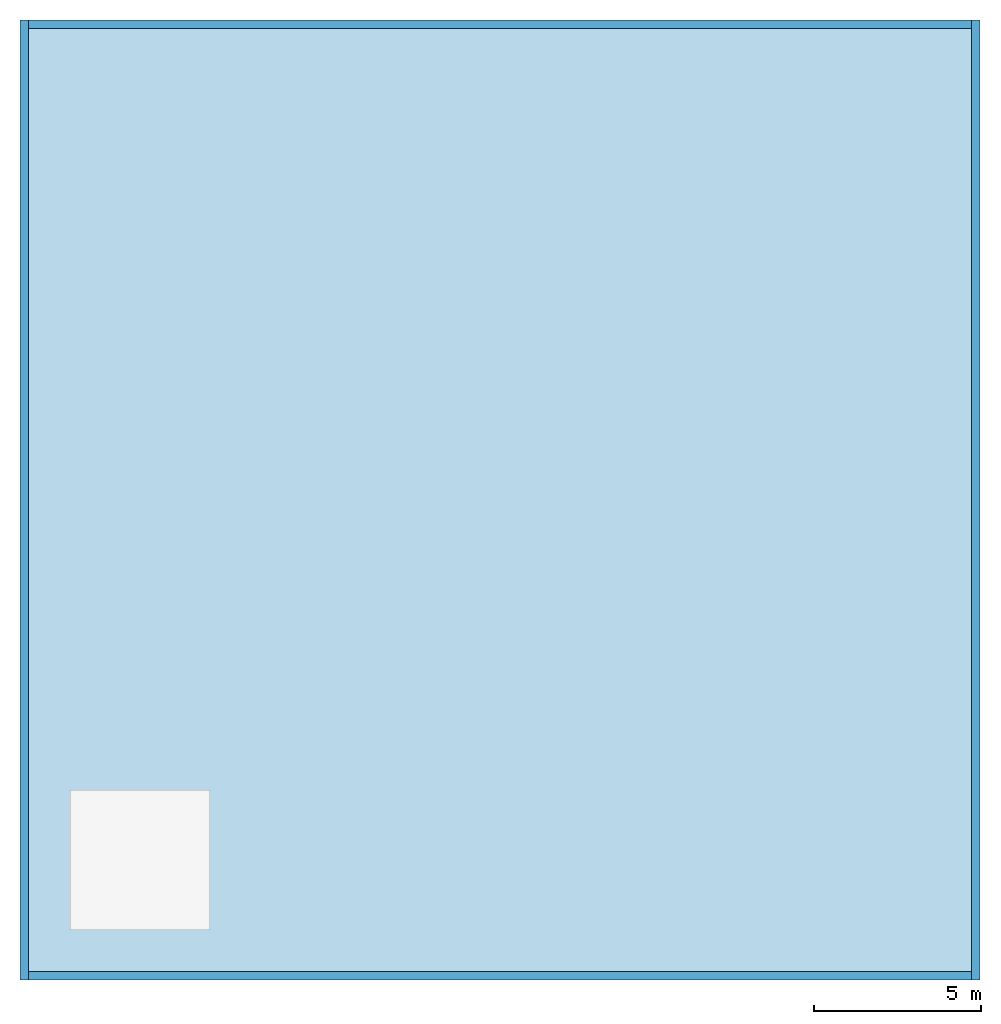
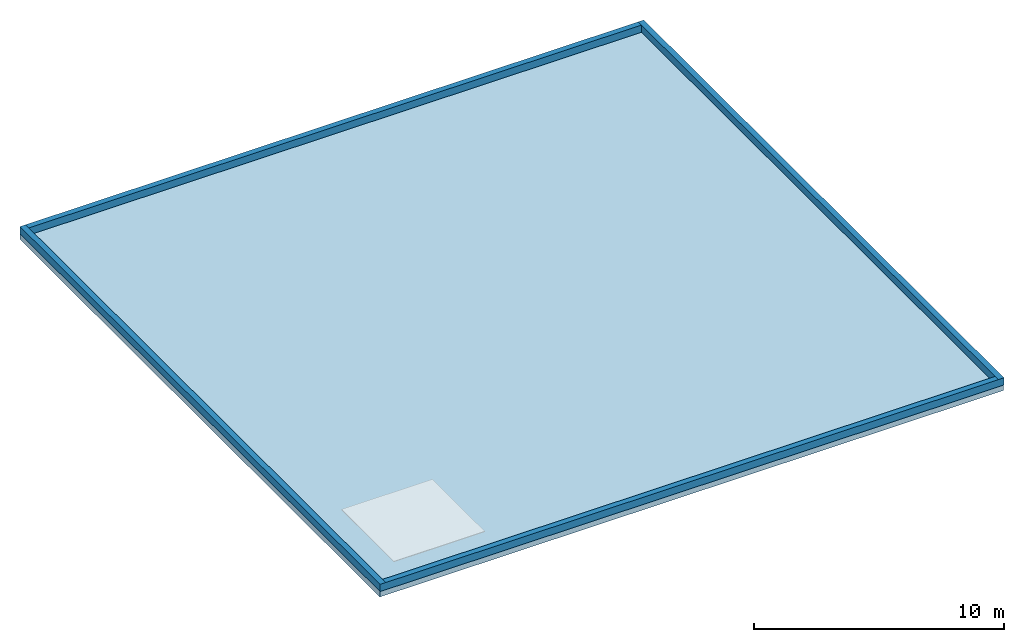
# One storey, part 1 of 2: 4 walls, 1 slab.
"""IFC4 building model written with IfcOpenShell, lengths in metres."""

import ifcopenshell
import ifcopenshell.guid

model = None  # the IFC model being written
_history = None  # IfcOwnerHistory: only IFC2X3 demands one
_inside = {}  # id of a spatial element -> (the spatial element, [elements in it])
_under = {}  # id of a project, library or spatial element -> (it, [spatial elements below it])
_declared = {}  # id of a project -> (the project, [libraries it declares])
_typed = {}  # id of a type object -> (the type object, [elements of that type])
_made_of = {}  # id of a material, layer set ... -> (it, [elements and type objects made of it])


def new_model(schema):
    """Start an empty IFC model of exactly this schema.

    Asked for "IFC4X3", IfcOpenShell would pick the latest addendum, in which some entities
    have other attributes; the version numbers below select the first issue.
    IFC2X3 requires an IfcOwnerHistory on every rooted entity: one is made here for all.
    """
    global model, _history
    if schema == "IFC4X3":
        model = ifcopenshell.file(schema_version=(4, 3, 0, 0))
    else:
        model = ifcopenshell.file(schema=schema)
    _inside.clear()
    _under.clear()
    _declared.clear()
    _typed.clear()
    _made_of.clear()
    _history = None
    if model.schema == "IFC2X3":
        org = make("IfcOrganization", Name="unknown")
        user = make(
            "IfcPersonAndOrganization",
            ThePerson=make("IfcPerson", FamilyName="unknown"),
            TheOrganization=org,
        )
        app = make(
            "IfcApplication",
            ApplicationDeveloper=org,
            Version="unknown",
            ApplicationFullName="unknown",
            ApplicationIdentifier="unknown",
        )
        _history = make(
            "IfcOwnerHistory",
            OwningUser=user,
            OwningApplication=app,
            ChangeAction="ADDED",
            CreationDate=0,
        )
    return model


def make(cls, **values):
    """One entity of the class cls with the attributes given. An attribute that is None is left unset."""
    return model.create_entity(
        cls, **{name: value for name, value in values.items() if value is not None}
    )


def rooted(cls, **values):
    """An entity with a GlobalId (a new one), such as an element, a storey or a relation."""
    return make(cls, GlobalId=ifcopenshell.guid.new(), OwnerHistory=_history, **values)


def si_unit(unit_type, name, prefix=None):
    """IfcSIUnit, for example si_unit("LENGTHUNIT", "METRE", prefix="MILLI")."""
    return make("IfcSIUnit", UnitType=unit_type, Prefix=prefix, Name=name)


def assignment(units):
    """IfcUnitAssignment: the units of a project."""
    return None if units is None else make("IfcUnitAssignment", Units=units)


def point(xyz):
    """IfcCartesianPoint."""
    return None if xyz is None else make("IfcCartesianPoint", Coordinates=xyz)


def direction(xyz):
    """IfcDirection."""
    return None if xyz is None else make("IfcDirection", DirectionRatios=xyz)


def frame(location, z_axis=None, x_axis=None):
    """IfcAxis2Placement3D, a coordinate frame: its origin and axes. An axis left out is left unset."""
    return make(
        "IfcAxis2Placement3D",
        Location=point(location),
        Axis=direction(z_axis),
        RefDirection=direction(x_axis),
    )


def frame_2d(location, x_axis=None):
    """IfcAxis2Placement2D, a coordinate frame in the plane: its origin and x axis."""
    return make(
        "IfcAxis2Placement2D", Location=point(location), RefDirection=direction(x_axis)
    )


def origin():
    """The frame at (0, 0, 0) with its axes left unset."""
    return frame((0.0, 0.0, 0.0))


def place(relative_to, where):
    """IfcLocalPlacement: puts the frame where relative to a parent placement (None: the world)."""
    return make(
        "IfcLocalPlacement", PlacementRelTo=relative_to, RelativePlacement=where
    )


def context(
    kind, dimensions, precision=None, world=None, true_north=None, identifier=None
):
    """IfcGeometricRepresentationContext, for example the 3D "Model" context."""
    return make(
        "IfcGeometricRepresentationContext",
        ContextIdentifier=identifier,
        ContextType=kind,
        CoordinateSpaceDimension=dimensions,
        Precision=precision,
        WorldCoordinateSystem=world,
        TrueNorth=true_north,
    )


def subcontext(parent, identifier, kind, view, scale=None):
    """IfcGeometricRepresentationSubContext, for example "Body" below "Model"."""
    return make(
        "IfcGeometricRepresentationSubContext",
        ContextIdentifier=identifier,
        ContextType=kind,
        ParentContext=parent,
        TargetScale=scale,
        TargetView=view,
    )


def project(units=None, contexts=None):
    """IfcProject with its units and contexts."""
    return rooted(
        "IfcProject",
        Name="project",
        RepresentationContexts=contexts,
        UnitsInContext=assignment(units),
    )


def spatial(cls, under=None, at=None, **own):
    """A site, building, storey or space (cls), placed at a placement, below another one or the project."""
    s = rooted(cls, ObjectPlacement=at, **own)
    if under is not None:
        _under.setdefault(under.id(), (under, []))[1].append(s)
    return s


def polyline(points):
    """IfcPolyline through the points."""
    return make("IfcPolyline", Points=[point(p) for p in points])


def profile(cls, at=None, kind="AREA", **sizes):
    """A parametric profile (cls). Its sizes go by their IFC names, for example OverallWidth=200.0."""
    return make(cls, ProfileType=kind, Position=at, **sizes)


def rectangle(**sizes):
    """IfcRectangleProfileDef."""
    return profile("IfcRectangleProfileDef", **sizes)


def outline(outer, holes=None, kind="AREA"):
    """IfcArbitraryClosedProfileDef: a profile drawn as a closed curve; with holes, ...WithVoids."""
    if holes is None:
        return make("IfcArbitraryClosedProfileDef", ProfileType=kind, OuterCurve=outer)
    return make(
        "IfcArbitraryProfileDefWithVoids",
        ProfileType=kind,
        OuterCurve=outer,
        InnerCurves=holes,
    )


def extrude(swept, where, along, depth):
    """IfcExtrudedAreaSolid: the profile swept, set in the frame where, extruded along a direction by depth."""
    return make(
        "IfcExtrudedAreaSolid",
        SweptArea=swept,
        Position=where,
        ExtrudedDirection=direction(along),
        Depth=depth,
    )


def shape(context_of_items, identifier, shape_type, items):
    """IfcShapeRepresentation: the items that make up one representation, for example the "Body"."""
    return make(
        "IfcShapeRepresentation",
        ContextOfItems=context_of_items,
        RepresentationIdentifier=identifier,
        RepresentationType=shape_type,
        Items=items,
    )


def material(Name=None, Category=None):
    """IfcMaterial."""
    return make("IfcMaterial", Name=Name, Category=Category)


def layer(
    of_material, thickness, ventilated=None, Name=None, Category=None, Priority=None
):
    """IfcMaterialLayer: one layer of a wall or slab, of a material (None: an air gap)."""
    return make(
        "IfcMaterialLayer",
        Material=of_material,
        LayerThickness=thickness,
        IsVentilated=ventilated,
        Name=Name,
        Category=Category,
        Priority=Priority,
    )


def layer_set(layers, Name=None):
    """IfcMaterialLayerSet."""
    return make("IfcMaterialLayerSet", MaterialLayers=layers, LayerSetName=Name)


def made_of(thing, what):
    """Note that an element or type object is made of a material, layer set ...; save() writes the relation."""
    if what is not None:
        _made_of.setdefault(what.id(), (what, []))[1].append(thing)
    return thing


def type_object(cls, material=None, **own):
    """A type object (cls), such as IfcWallType, which elements share."""
    return made_of(rooted(cls, **own), material)


def element(
    cls,
    number,
    at=None,
    inside=None,
    cuts=None,
    type_object=None,
    material=None,
    context=None,
    identifier="Body",
    shape_type=None,
    held_by="IfcProductDefinitionShape",
    body=None,
    shapes=None,
    **own,
):
    """One element of the class cls, such as IfcWall. Its Tag is "e" and its number.

    at: its placement. inside: the storey or other place that contains it. cuts: it is an
    opening in that element (IfcRelVoidsElement). A single representation is given by context,
    identifier, shape_type and body (its items); several are given by shapes. held_by: the class
    of the entity that holds the representations. save() writes the other relations.
    """
    e = rooted(cls, Tag="e%d" % number, ObjectPlacement=at, **own)
    if body is not None:
        shapes = [shape(context, identifier, shape_type, body)]
    if shapes is not None:
        e.Representation = make(held_by, Representations=shapes)
    if inside is not None:
        _inside.setdefault(inside.id(), (inside, []))[1].append(e)
    if cuts is not None:
        rooted(
            "IfcRelVoidsElement", RelatingBuildingElement=cuts, RelatedOpeningElement=e
        )
    if type_object is not None:
        _typed.setdefault(type_object.id(), (type_object, []))[1].append(e)
    return made_of(e, material)


def aggregate(whole, parts):
    """IfcRelAggregates: a whole, such as a stair, and the parts it consists of."""
    return rooted("IfcRelAggregates", RelatingObject=whole, RelatedObjects=parts)


def save(model, path):
    """Write the relations noted so far, then the file.

    IfcRelAggregates (storeys below a building ...), IfcRelContainedInSpatialStructure (elements
    in a storey), IfcRelDefinesByType, IfcRelAssociatesMaterial and IfcRelDeclares: one each for
    every whole, place, type object, material and project.
    """
    for whole, parts in _under.values():
        aggregate(whole, parts)
    for where, things in _inside.values():
        rooted(
            "IfcRelContainedInSpatialStructure",
            RelatedElements=things,
            RelatingStructure=where,
        )
    for kind, things in _typed.values():
        rooted("IfcRelDefinesByType", RelatedObjects=things, RelatingType=kind)
    for what, things in _made_of.values():
        rooted("IfcRelAssociatesMaterial", RelatedObjects=things, RelatingMaterial=what)
    for by, libraries in _declared.values():
        rooted("IfcRelDeclares", RelatingContext=by, RelatedDefinitions=libraries)
    model.write(path)


model = new_model("IFC4")

# Units and contexts
model_context = context("Model", 3, precision=1e-05, world=origin(), true_north=direction((0.0, 1.0)))
body_context = subcontext(model_context, "Body", "Model", "MODEL_VIEW")
ifc_project = project(units=[si_unit("LENGTHUNIT", "METRE"), si_unit("AREAUNIT", "SQUARE_METRE"), si_unit("VOLUMEUNIT", "CUBIC_METRE"), si_unit("PLANEANGLEUNIT", "RADIAN"), si_unit("MASSUNIT", "GRAM", prefix="KILO")], contexts=[model_context])

# Site, building, storey
site_placement = place(None, origin())
site = spatial("IfcSite", under=ifc_project, at=site_placement, CompositionType="ELEMENT")
building_placement = place(site_placement, origin())
building = spatial("IfcBuilding", under=site, at=building_placement, Name="Leyfeld Transit Interchange", CompositionType="ELEMENT")
storey_placement = place(building_placement, frame((0.0, 0.0, 25.5)))
storey = spatial("IfcBuildingStorey", under=building, at=storey_placement, Name="RF", CompositionType="ELEMENT", Elevation=25.5)

# Slab
ifc_material_1 = material(Name="Concrete C35/45", Category="concrete")
ifc_layer_1 = layer(ifc_material_1, 0.280029296875, Name="Concrete C35/45")
ifc_layer_set_1 = layer_set([ifc_layer_1], Name="Concrete C35/45")
slab_type = type_object("IfcSlabType", Name="SLB-ROOF-280", PredefinedType="ROOF", material=ifc_layer_set_1)
slab_placement = place(storey_placement, frame((0.0, 0.0, -0.280029296875)))
element("IfcSlab", 1, at=slab_placement, inside=storey, type_object=slab_type, Name="Slab V5_ROOF RF B1", PredefinedType="ROOF", context=body_context, shape_type="SweptSolid", body=[
    extrude(outline(polyline([(0.0, 93.625), (28.800048828125, 93.625), (28.800048828125, 122.39990234375), (0.0, 122.39990234375), (0.0, 93.625)])), origin(), (0.0, 0.0, 1.0), 0.280029296875),
])

# Walls
ifc_material_2 = material(Name="Precast concrete C40/50", Category="concrete")
ifc_layer_2 = layer(ifc_material_2, 0.260009765625, Name="Precast concrete C40/50")
ifc_layer_set_2 = layer_set([ifc_layer_2], Name="Precast concrete C40/50")
wall_type = type_object("IfcWallType", Name="WL-PAR-260", PredefinedType="PARAPET", material=ifc_layer_set_2)
wall_1_placement = place(storey_placement, frame((28.669921875, 93.60009765625, 0.0), z_axis=(0.0, 0.0, 1.0), x_axis=(0.0, 1.0, 0.0)))
element("IfcWall", 2, at=wall_1_placement, inside=storey, type_object=wall_type, Name="Roof Parapet RF 019", PredefinedType="PARAPET", context=body_context, shape_type="SweptSolid", body=[
    extrude(rectangle(XDim=28.7998046875, YDim=0.260009765625, at=frame_2d((14.39990234375, 0.0))), origin(), (0.0, 0.0, 1.0), 0.35009765625),
])
wall_2_placement = place(storey_placement, frame((28.800048828125, 122.27001953125, 0.0), z_axis=(0.0, 0.0, 1.0), x_axis=(-1.0, 0.0, 0.0)))
element("IfcWall", 3, at=wall_2_placement, inside=storey, type_object=wall_type, Name="Roof Parapet RF 020", PredefinedType="PARAPET", context=body_context, shape_type="SweptSolid", body=[
    extrude(rectangle(XDim=28.800048828125, YDim=0.260009765625, at=frame_2d((14.39990234375, 0.0))), origin(), (0.0, 0.0, 1.0), 0.35009765625),
])
wall_3_placement = place(storey_placement, frame((0.1298828125, 122.39990234375, 0.0), z_axis=(0.0, 0.0, 1.0), x_axis=(0.0, -1.0, 0.0)))
element("IfcWall", 4, at=wall_3_placement, inside=storey, type_object=wall_type, Name="Roof Parapet RF 021", PredefinedType="PARAPET", context=body_context, shape_type="SweptSolid", body=[
    extrude(rectangle(XDim=28.7998046875, YDim=0.260009765625, at=frame_2d((14.39990234375, 0.0))), origin(), (0.0, 0.0, 1.0), 0.35009765625),
])
wall_4_placement = place(storey_placement, frame((0.0, 93.72998046875, 0.0), z_axis=(0.0, 0.0, 1.0), x_axis=(1.0, 0.0, 0.0)))
element("IfcWall", 5, at=wall_4_placement, inside=storey, type_object=wall_type, Name="Roof Parapet RF 022", PredefinedType="PARAPET", context=body_context, shape_type="SweptSolid", body=[
    extrude(rectangle(XDim=28.800048828125, YDim=0.260009765625, at=frame_2d((14.39990234375, 0.0))), origin(), (0.0, 0.0, 1.0), 0.35009765625),
])

save(model, "model.ifc")
